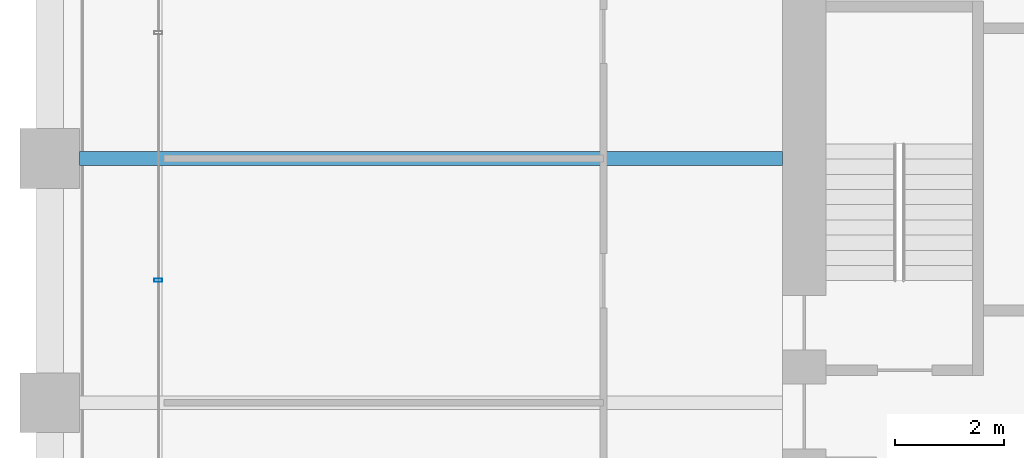
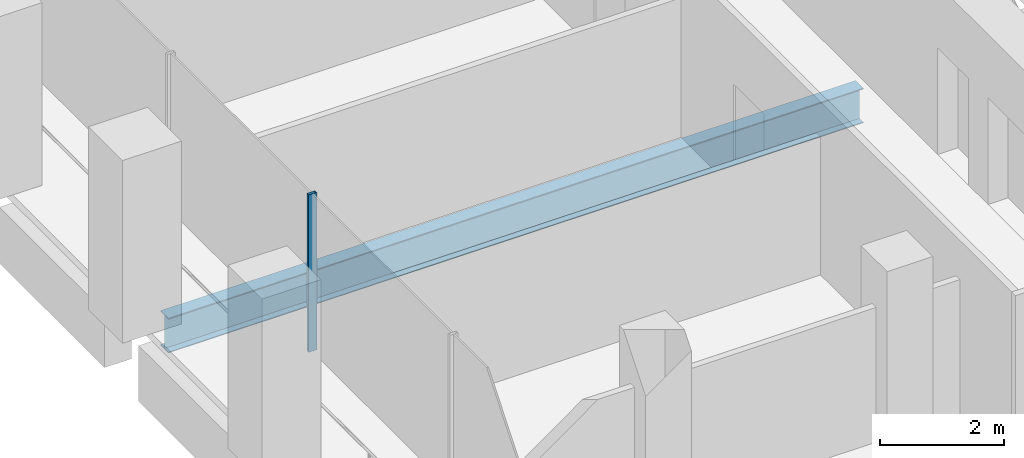
# One storey, part 11 of 56: 1 beam, 1 member, 1 element without a shape of its own.
"""IFC4 building model written with IfcOpenShell, lengths in metres."""

import ifcopenshell
import ifcopenshell.guid

model = None  # the IFC model being written
_history = None  # IfcOwnerHistory: only IFC2X3 demands one
_inside = {}  # id of a spatial element -> (the spatial element, [elements in it])
_under = {}  # id of a project, library or spatial element -> (it, [spatial elements below it])
_declared = {}  # id of a project -> (the project, [libraries it declares])
_typed = {}  # id of a type object -> (the type object, [elements of that type])
_made_of = {}  # id of a material, layer set ... -> (it, [elements and type objects made of it])


def new_model(schema):
    """Start an empty IFC model of exactly this schema.

    Asked for "IFC4X3", IfcOpenShell would pick the latest addendum, in which some entities
    have other attributes; the version numbers below select the first issue.
    IFC2X3 requires an IfcOwnerHistory on every rooted entity: one is made here for all.
    """
    global model, _history
    if schema == "IFC4X3":
        model = ifcopenshell.file(schema_version=(4, 3, 0, 0))
    else:
        model = ifcopenshell.file(schema=schema)
    _inside.clear()
    _under.clear()
    _declared.clear()
    _typed.clear()
    _made_of.clear()
    _history = None
    if model.schema == "IFC2X3":
        org = make("IfcOrganization", Name="unknown")
        user = make(
            "IfcPersonAndOrganization",
            ThePerson=make("IfcPerson", FamilyName="unknown"),
            TheOrganization=org,
        )
        app = make(
            "IfcApplication",
            ApplicationDeveloper=org,
            Version="unknown",
            ApplicationFullName="unknown",
            ApplicationIdentifier="unknown",
        )
        _history = make(
            "IfcOwnerHistory",
            OwningUser=user,
            OwningApplication=app,
            ChangeAction="ADDED",
            CreationDate=0,
        )
    return model


def make(cls, **values):
    """One entity of the class cls with the attributes given. An attribute that is None is left unset."""
    return model.create_entity(
        cls, **{name: value for name, value in values.items() if value is not None}
    )


def rooted(cls, **values):
    """An entity with a GlobalId (a new one), such as an element, a storey or a relation."""
    return make(cls, GlobalId=ifcopenshell.guid.new(), OwnerHistory=_history, **values)


def si_unit(unit_type, name, prefix=None):
    """IfcSIUnit, for example si_unit("LENGTHUNIT", "METRE", prefix="MILLI")."""
    return make("IfcSIUnit", UnitType=unit_type, Prefix=prefix, Name=name)


def assignment(units):
    """IfcUnitAssignment: the units of a project."""
    return None if units is None else make("IfcUnitAssignment", Units=units)


def point(xyz):
    """IfcCartesianPoint."""
    return None if xyz is None else make("IfcCartesianPoint", Coordinates=xyz)


def direction(xyz):
    """IfcDirection."""
    return None if xyz is None else make("IfcDirection", DirectionRatios=xyz)


def frame(location, z_axis=None, x_axis=None):
    """IfcAxis2Placement3D, a coordinate frame: its origin and axes. An axis left out is left unset."""
    return make(
        "IfcAxis2Placement3D",
        Location=point(location),
        Axis=direction(z_axis),
        RefDirection=direction(x_axis),
    )


def frame_2d(location, x_axis=None):
    """IfcAxis2Placement2D, a coordinate frame in the plane: its origin and x axis."""
    return make(
        "IfcAxis2Placement2D", Location=point(location), RefDirection=direction(x_axis)
    )


def origin():
    """The frame at (0, 0, 0) with its axes left unset."""
    return frame((0.0, 0.0, 0.0))


def origin_2d():
    """The frame at (0, 0) in the plane with its x axis left unset."""
    return frame_2d((0.0, 0.0))


def place(relative_to, where):
    """IfcLocalPlacement: puts the frame where relative to a parent placement (None: the world)."""
    return make(
        "IfcLocalPlacement", PlacementRelTo=relative_to, RelativePlacement=where
    )


def context(
    kind, dimensions, precision=None, world=None, true_north=None, identifier=None
):
    """IfcGeometricRepresentationContext, for example the 3D "Model" context."""
    return make(
        "IfcGeometricRepresentationContext",
        ContextIdentifier=identifier,
        ContextType=kind,
        CoordinateSpaceDimension=dimensions,
        Precision=precision,
        WorldCoordinateSystem=world,
        TrueNorth=true_north,
    )


def subcontext(parent, identifier, kind, view, scale=None):
    """IfcGeometricRepresentationSubContext, for example "Body" below "Model"."""
    return make(
        "IfcGeometricRepresentationSubContext",
        ContextIdentifier=identifier,
        ContextType=kind,
        ParentContext=parent,
        TargetScale=scale,
        TargetView=view,
    )


def project(units=None, contexts=None):
    """IfcProject with its units and contexts."""
    return rooted(
        "IfcProject",
        Name="project",
        RepresentationContexts=contexts,
        UnitsInContext=assignment(units),
    )


def spatial(cls, under=None, at=None, **own):
    """A site, building, storey or space (cls), placed at a placement, below another one or the project."""
    s = rooted(cls, ObjectPlacement=at, **own)
    if under is not None:
        _under.setdefault(under.id(), (under, []))[1].append(s)
    return s


def profile(cls, at=None, kind="AREA", **sizes):
    """A parametric profile (cls). Its sizes go by their IFC names, for example OverallWidth=200.0."""
    return make(cls, ProfileType=kind, Position=at, **sizes)


def hollow_rectangle(**sizes):
    """IfcRectangleHollowProfileDef."""
    return profile("IfcRectangleHollowProfileDef", **sizes)


def i_section(**sizes):
    """IfcIShapeProfileDef."""
    return profile("IfcIShapeProfileDef", **sizes)


def extrude(swept, where, along, depth):
    """IfcExtrudedAreaSolid: the profile swept, set in the frame where, extruded along a direction by depth."""
    return make(
        "IfcExtrudedAreaSolid",
        SweptArea=swept,
        Position=where,
        ExtrudedDirection=direction(along),
        Depth=depth,
    )


def shape(context_of_items, identifier, shape_type, items):
    """IfcShapeRepresentation: the items that make up one representation, for example the "Body"."""
    return make(
        "IfcShapeRepresentation",
        ContextOfItems=context_of_items,
        RepresentationIdentifier=identifier,
        RepresentationType=shape_type,
        Items=items,
    )


def material(Name=None, Category=None):
    """IfcMaterial."""
    return make("IfcMaterial", Name=Name, Category=Category)


def material_profile(
    of_material, cross_section, Name=None, Category=None, Priority=None
):
    """IfcMaterialProfile: a cross section and its material."""
    return make(
        "IfcMaterialProfile",
        Name=Name,
        Material=of_material,
        Profile=cross_section,
        Priority=Priority,
        Category=Category,
    )


def profile_set(profiles, Name=None, composite=None):
    """IfcMaterialProfileSet."""
    return make(
        "IfcMaterialProfileSet",
        Name=Name,
        MaterialProfiles=profiles,
        CompositeProfile=composite,
    )


def made_of(thing, what):
    """Note that an element or type object is made of a material, layer set ...; save() writes the relation."""
    if what is not None:
        _made_of.setdefault(what.id(), (what, []))[1].append(thing)
    return thing


def type_object(cls, material=None, **own):
    """A type object (cls), such as IfcWallType, which elements share."""
    return made_of(rooted(cls, **own), material)


def element(
    cls,
    number,
    at=None,
    inside=None,
    cuts=None,
    type_object=None,
    material=None,
    context=None,
    identifier="Body",
    shape_type=None,
    held_by="IfcProductDefinitionShape",
    body=None,
    shapes=None,
    **own,
):
    """One element of the class cls, such as IfcWall. Its Tag is "e" and its number.

    at: its placement. inside: the storey or other place that contains it. cuts: it is an
    opening in that element (IfcRelVoidsElement). A single representation is given by context,
    identifier, shape_type and body (its items); several are given by shapes. held_by: the class
    of the entity that holds the representations. save() writes the other relations.
    """
    e = rooted(cls, Tag="e%d" % number, ObjectPlacement=at, **own)
    if body is not None:
        shapes = [shape(context, identifier, shape_type, body)]
    if shapes is not None:
        e.Representation = make(held_by, Representations=shapes)
    if inside is not None:
        _inside.setdefault(inside.id(), (inside, []))[1].append(e)
    if cuts is not None:
        rooted(
            "IfcRelVoidsElement", RelatingBuildingElement=cuts, RelatedOpeningElement=e
        )
    if type_object is not None:
        _typed.setdefault(type_object.id(), (type_object, []))[1].append(e)
    return made_of(e, material)


def aggregate(whole, parts):
    """IfcRelAggregates: a whole, such as a stair, and the parts it consists of."""
    return rooted("IfcRelAggregates", RelatingObject=whole, RelatedObjects=parts)


def save(model, path):
    """Write the relations noted so far, then the file.

    IfcRelAggregates (storeys below a building ...), IfcRelContainedInSpatialStructure (elements
    in a storey), IfcRelDefinesByType, IfcRelAssociatesMaterial and IfcRelDeclares: one each for
    every whole, place, type object, material and project.
    """
    for whole, parts in _under.values():
        aggregate(whole, parts)
    for where, things in _inside.values():
        rooted(
            "IfcRelContainedInSpatialStructure",
            RelatedElements=things,
            RelatingStructure=where,
        )
    for kind, things in _typed.values():
        rooted("IfcRelDefinesByType", RelatedObjects=things, RelatingType=kind)
    for what, things in _made_of.values():
        rooted("IfcRelAssociatesMaterial", RelatedObjects=things, RelatingMaterial=what)
    for by, libraries in _declared.values():
        rooted("IfcRelDeclares", RelatingContext=by, RelatedDefinitions=libraries)
    model.write(path)


model = new_model("IFC4")

# Units and contexts
model_context = context("Model", 3, precision=1e-05, world=origin(), true_north=direction((0.0, 1.0)))
body_context = subcontext(model_context, "Body", "Model", "MODEL_VIEW")
ifc_project = project(units=[si_unit("LENGTHUNIT", "METRE"), si_unit("AREAUNIT", "SQUARE_METRE"), si_unit("VOLUMEUNIT", "CUBIC_METRE"), si_unit("PLANEANGLEUNIT", "RADIAN"), si_unit("MASSUNIT", "GRAM", prefix="KILO")], contexts=[model_context])

# Site, building, storey
site_placement = place(None, origin())
site = spatial("IfcSite", under=ifc_project, at=site_placement, CompositionType="ELEMENT")
building_placement = place(site_placement, origin())
building = spatial("IfcBuilding", under=site, at=building_placement, Name="Altepetl Exchange Towers", CompositionType="ELEMENT")
storey_placement = place(building_placement, frame((0.0, 0.0, 69.0)))
storey = spatial("IfcBuildingStorey", under=building, at=storey_placement, Name="L16", CompositionType="ELEMENT", Elevation=69.0)

# Beam
ifc_material_1 = material(Name="Steel S355", Category="steel")
ifc_material_profile_1 = material_profile(ifc_material_1, i_section(OverallWidth=0.25390625, OverallDepth=0.68408203125, WebThickness=0.012451171875, FlangeThickness=0.018798828125, at=origin_2d()), Name="W27X94")
ifc_profile_set_1 = profile_set([ifc_material_profile_1], Name="Steel S355")
beam_type = type_object("IfcBeamType", Name="Floor beam W27X94", PredefinedType="BEAM", material=ifc_profile_set_1)
beam_placement = place(storey_placement, frame((27.550048828125, 49.5, -0.491943359375), z_axis=(1.0, 0.0, 0.0), x_axis=(0.0, 1.0, 0.0)))
element("IfcBeam", 1, at=beam_placement, inside=storey, type_object=beam_type, Name="bm:A:L16:019", PredefinedType="BEAM", context=body_context, shape_type="SweptSolid", body=[
    extrude(i_section(OverallWidth=0.25390625, OverallDepth=0.68408203125, WebThickness=0.012451171875, FlangeThickness=0.018798828125, at=origin_2d()), origin(), (0.0, 0.0, 1.0), 12.949951171875),
])

# Curtain wall, member
ifc_material_2 = material(Name="Aluminium 6063-T6 glazing", Category="aluminium")
curtain_wall_type = type_object("IfcCurtainWallType", Name="Loggia glazing system", PredefinedType="NOTDEFINED", material=ifc_material_2)
curtain_wall_placement = place(storey_placement, origin())
curtain_wall = element("IfcCurtainWall", 2, at=curtain_wall_placement, inside=storey, type_object=curtain_wall_type, Name="CW1 run", PredefinedType="NOTDEFINED")
ifc_material_3 = material(Name="Aluminium 6063-T6", Category="aluminium")
ifc_material_profile_2 = material_profile(ifc_material_3, hollow_rectangle(XDim=0.06005859375, YDim=0.14990234375, WallThickness=0.0029296875, at=origin_2d()), Name="Mullion 60x150 aluminium")
ifc_profile_set_2 = profile_set([ifc_material_profile_2], Name="Aluminium 6063-T6")
member_type = type_object("IfcMemberType", Name="Mullion 60x150 aluminium", PredefinedType="MULLION", material=ifc_profile_set_2)
member_placement = place(storey_placement, frame((29.0, 47.257080078125, 0.0), z_axis=(0.0, 0.0, 1.0), x_axis=(0.0, -1.0, 0.0)))
member = element("IfcMember", 3, at=member_placement, type_object=member_type, Name="MU1 mullion", PredefinedType="MULLION", context=body_context, shape_type="SweptSolid", body=[
    extrude(hollow_rectangle(XDim=0.06005859375, YDim=0.14990234375, WallThickness=0.0029296875, at=origin_2d()), origin(), (0.0, 0.0, 1.0), 3.10009765625),
])
aggregate(curtain_wall, [member])

save(model, "model.ifc")
